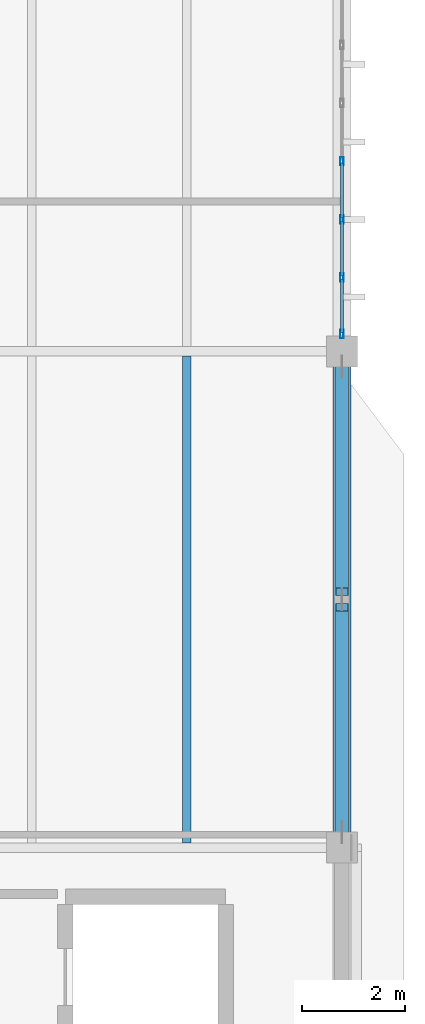
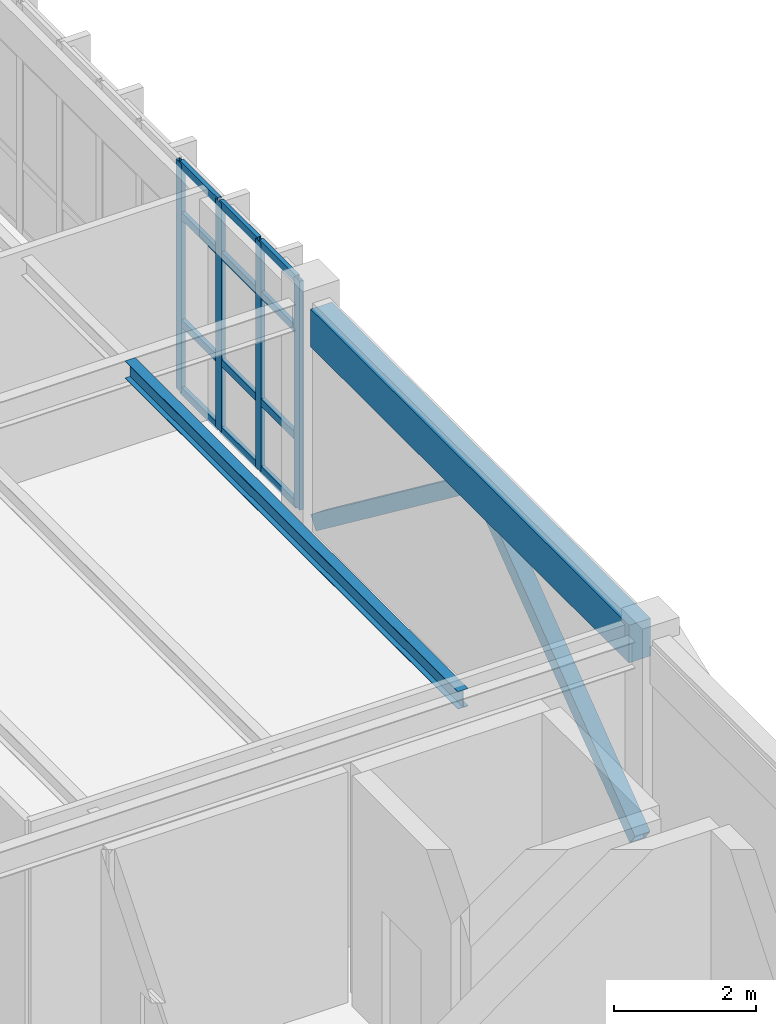
# One storey, part 11 of 28: 18 members, 2 beams, 1 element without a shape of its own.
"""IFC4 building model written with IfcOpenShell, lengths in metres."""

from ifc_helpers import new_model, si_unit, direction, frame, origin, origin_2d, place, context, subcontext, project, spatial, rectangle, hollow_rectangle, i_section, extrude, material, layer, layer_set, material_profile, profile_set, type_object, element, aggregate, save


model = new_model("IFC4")

# Units and contexts
model_context = context("Model", 3, precision=1e-05, world=origin(), true_north=direction((0.0, 1.0)))
body_context = subcontext(model_context, "Body", "Model", "MODEL_VIEW")
ifc_project = project(units=[si_unit("LENGTHUNIT", "METRE"), si_unit("AREAUNIT", "SQUARE_METRE"), si_unit("VOLUMEUNIT", "CUBIC_METRE"), si_unit("PLANEANGLEUNIT", "RADIAN"), si_unit("MASSUNIT", "GRAM", prefix="KILO")], contexts=[model_context])

# Site, building, storey
site_placement = place(None, origin())
site = spatial("IfcSite", under=ifc_project, at=site_placement, CompositionType="ELEMENT")
building_placement = place(site_placement, origin())
building = spatial("IfcBuilding", under=site, at=building_placement, Name="Pandanus Reach Market Hall", CompositionType="ELEMENT")
storey_placement = place(building_placement, frame((0.0, 0.0, 18.60009765625)))
storey = spatial("IfcBuildingStorey", under=building, at=storey_placement, Name="L04", CompositionType="ELEMENT", Elevation=18.60009765625)

# Beam
ifc_material_1 = material(Name="Concrete N40 (40 MPa)", Category="concrete")
ifc_material_profile_1 = material_profile(ifc_material_1, rectangle(XDim=0.35009765625, YDim=0.64990234375, at=origin_2d()), Name="RC350x650", Category="LoadBearing")
ifc_profile_set_1 = profile_set([ifc_material_profile_1], Name="Concrete N40 (40 MPa)")
beam_type_1 = type_object("IfcBeamType", Name="BM-RC350-E", PredefinedType="SPANDREL", material=ifc_profile_set_1)
beam_1_placement = place(storey_placement, frame((180.0, 38.697998046875, 3.534912109375), z_axis=(0.0, 1.0, 0.0), x_axis=(-1.0, 0.0, 0.0)))
element("IfcBeam", 1, at=beam_1_placement, inside=storey, type_object=beam_type_1, Name="Framing beam BM-RC350-E L04.633", PredefinedType="SPANDREL", context=body_context, shape_type="SweptSolid", body=[
    extrude(rectangle(XDim=0.35009765625, YDim=0.64990234375, at=origin_2d()), origin(), (0.0, 0.0, 1.0), 9.00390625),
])

# Members
ifc_material_2 = material(Name="Steel Grade 350 (350 MPa)", Category="steel")
ifc_material_profile_2 = material_profile(ifc_material_2, hollow_rectangle(XDim=0.25, YDim=0.25, WallThickness=0.010009765625, at=origin_2d()), Name="250x250x10.0SHS", Category="LoadBearing")
ifc_profile_set_2 = profile_set([ifc_material_profile_2], Name="Steel Grade 350 (350 MPa)")
member_type_1 = type_object("IfcMemberType", Name="BR-SHS250-E", PredefinedType="BRACE", material=ifc_profile_set_2)
member_1_placement = place(storey_placement, frame((180.0, 38.68994140625, 0.14990234375), z_axis=(0.0, 0.797361673591, 0.603501749366), x_axis=(-1.0, 0.0, 0.0)))
element("IfcMember", 2, at=member_1_placement, inside=storey, type_object=member_type_1, Name="Chevron brace BR-SHS250-E 16A", PredefinedType="BRACE", context=body_context, shape_type="SweptSolid", body=[
    extrude(hollow_rectangle(XDim=0.25, YDim=0.25, WallThickness=0.010009765625, at=origin_2d()), origin(), (0.0, 0.0, 1.0), 5.46826171875),
])
member_2_placement = place(storey_placement, frame((180.0, 47.7099609375, 0.14990234375), z_axis=(0.0, -0.797345411422, 0.603523234751), x_axis=(1.0, 0.0, 0.0)))
element("IfcMember", 3, at=member_2_placement, inside=storey, type_object=member_type_1, Name="Chevron brace BR-SHS250-E 16B", PredefinedType="BRACE", context=body_context, shape_type="SweptSolid", body=[
    extrude(hollow_rectangle(XDim=0.25, YDim=0.25, WallThickness=0.010009765625, at=origin_2d()), origin(), (0.0, 0.0, 1.0), 5.468017578125),
])

# Curtain wall, members
ifc_material_3 = material(Name="Bronze anodised aluminium and low-E glass", Category="aluminium")
ifc_layer = layer(ifc_material_3, 0.159912109375, Name="CW-36")
ifc_layer_set = layer_set([ifc_layer], Name="Bronze anodised aluminium and low-E glass")
curtain_wall_type = type_object("IfcCurtainWallType", Name="CW-36", PredefinedType="NOTDEFINED", material=ifc_layer_set)
curtain_wall_placement = place(storey_placement, origin())
curtain_wall = element("IfcCurtainWall", 4, at=curtain_wall_placement, inside=storey, type_object=curtain_wall_type, Name="Glazed curtain wall CW-36 CW-0131", PredefinedType="NOTDEFINED")
ifc_material_4 = material(Name="Bronze anodised aluminium", Category="aluminium")
ifc_material_profile_3 = material_profile(ifc_material_4, hollow_rectangle(XDim=0.06494140625, YDim=0.159912109375, WallThickness=0.00390625, at=origin_2d()), Name="ALU65x160", Category="LoadBearing")
ifc_profile_set_3 = profile_set([ifc_material_profile_3], Name="Bronze anodised aluminium")
member_type_2 = type_object("IfcMemberType", Name="CW-M1", PredefinedType="MULLION", material=ifc_profile_set_3)
member_3_placement = place(storey_placement, frame((180.0, 48.33251953125, 0.0), z_axis=(0.0, 0.0, 1.0), x_axis=(-1.0, 0.0, 0.0)))
member_3 = element("IfcMember", 5, at=member_3_placement, type_object=member_type_2, Name="CW-36 mullion 1", PredefinedType="MULLION", context=body_context, shape_type="SweptSolid", body=[
    extrude(hollow_rectangle(XDim=0.06494140625, YDim=0.159912109375, WallThickness=0.00390625, at=origin_2d()), origin(), (0.0, 0.0, 1.0), 3.949951171875),
])
member_4_placement = place(storey_placement, frame((180.0, 49.425048828125, 0.0), z_axis=(0.0, 0.0, 1.0), x_axis=(-1.0, 0.0, 0.0)))
member_4 = element("IfcMember", 6, at=member_4_placement, type_object=member_type_2, Name="CW-36 mullion 2", PredefinedType="MULLION", context=body_context, shape_type="SweptSolid", body=[
    extrude(hollow_rectangle(XDim=0.06494140625, YDim=0.159912109375, WallThickness=0.00390625, at=origin_2d()), origin(), (0.0, 0.0, 1.0), 3.949951171875),
])
member_5_placement = place(storey_placement, frame((180.0, 50.550048828125, 0.0), z_axis=(0.0, 0.0, 1.0), x_axis=(-1.0, 0.0, 0.0)))
member_5 = element("IfcMember", 7, at=member_5_placement, type_object=member_type_2, Name="CW-36 mullion 3", PredefinedType="MULLION", context=body_context, shape_type="SweptSolid", body=[
    extrude(hollow_rectangle(XDim=0.06494140625, YDim=0.159912109375, WallThickness=0.00390625, at=origin_2d()), origin(), (0.0, 0.0, 1.0), 3.949951171875),
])
member_6_placement = place(storey_placement, frame((180.0, 51.675048828125, 0.0), z_axis=(0.0, 0.0, 1.0), x_axis=(-1.0, 0.0, 0.0)))
member_6 = element("IfcMember", 8, at=member_6_placement, type_object=member_type_2, Name="CW-36 mullion 4", PredefinedType="MULLION", context=body_context, shape_type="SweptSolid", body=[
    extrude(hollow_rectangle(XDim=0.06494140625, YDim=0.159912109375, WallThickness=0.00390625, at=origin_2d()), origin(), (0.0, 0.0, 1.0), 3.949951171875),
])
ifc_material_profile_4 = material_profile(ifc_material_4, hollow_rectangle(XDim=0.06494140625, YDim=0.1298828125, WallThickness=0.00390625, at=origin_2d()), Name="ALU65x130", Category="LoadBearing")
ifc_profile_set_4 = profile_set([ifc_material_profile_4], Name="Bronze anodised aluminium")
member_type_3 = type_object("IfcMemberType", Name="CW-T1", PredefinedType="USERDEFINED", material=ifc_profile_set_4)
member_7_placement = place(storey_placement, frame((180.0, 48.364990234375, 0.032470703125), z_axis=(0.0, 1.0, 0.0), x_axis=(-1.0, 0.0, 0.0)))
member_7 = element("IfcMember", 9, at=member_7_placement, type_object=member_type_3, Name="CW-36 transom 1.1", ObjectType="TRANSOM", PredefinedType="USERDEFINED", context=body_context, shape_type="SweptSolid", body=[
    extrude(hollow_rectangle(XDim=0.06494140625, YDim=0.1298828125, WallThickness=0.00390625, at=origin_2d()), origin(), (0.0, 0.0, 1.0), 1.027587890625),
])
member_8_placement = place(storey_placement, frame((180.0, 48.364990234375, 1.199951171875), z_axis=(0.0, 1.0, 0.0), x_axis=(-1.0, 0.0, 0.0)))
member_8 = element("IfcMember", 10, at=member_8_placement, type_object=member_type_3, Name="CW-36 transom 1.2", ObjectType="TRANSOM", PredefinedType="USERDEFINED", context=body_context, shape_type="SweptSolid", body=[
    extrude(hollow_rectangle(XDim=0.06494140625, YDim=0.1298828125, WallThickness=0.00390625, at=origin_2d()), origin(), (0.0, 0.0, 1.0), 1.027587890625),
])
member_9_placement = place(storey_placement, frame((180.0, 48.364990234375, 3.0498046875), z_axis=(0.0, 1.0, 0.0), x_axis=(-1.0, 0.0, 0.0)))
member_9 = element("IfcMember", 11, at=member_9_placement, type_object=member_type_3, Name="CW-36 transom 1.3", ObjectType="TRANSOM", PredefinedType="USERDEFINED", context=body_context, shape_type="SweptSolid", body=[
    extrude(hollow_rectangle(XDim=0.06494140625, YDim=0.1298828125, WallThickness=0.00390625, at=origin_2d()), origin(), (0.0, 0.0, 1.0), 1.027587890625),
])
member_10_placement = place(storey_placement, frame((180.0, 48.364990234375, 3.91748046875), z_axis=(0.0, 1.0, 0.0), x_axis=(-1.0, 0.0, 0.0)))
member_10 = element("IfcMember", 12, at=member_10_placement, type_object=member_type_3, Name="CW-36 transom 1.4", ObjectType="TRANSOM", PredefinedType="USERDEFINED", context=body_context, shape_type="SweptSolid", body=[
    extrude(hollow_rectangle(XDim=0.06494140625, YDim=0.1298828125, WallThickness=0.00390625, at=origin_2d()), origin(), (0.0, 0.0, 1.0), 1.027587890625),
])
member_11_placement = place(storey_placement, frame((180.0, 49.45751953125, 0.032470703125), z_axis=(0.0, 1.0, 0.0), x_axis=(-1.0, 0.0, 0.0)))
member_11 = element("IfcMember", 13, at=member_11_placement, type_object=member_type_3, Name="CW-36 transom 2.1", ObjectType="TRANSOM", PredefinedType="USERDEFINED", context=body_context, shape_type="SweptSolid", body=[
    extrude(hollow_rectangle(XDim=0.06494140625, YDim=0.1298828125, WallThickness=0.00390625, at=origin_2d()), origin(), (0.0, 0.0, 1.0), 1.06005859375),
])
member_12_placement = place(storey_placement, frame((180.0, 49.45751953125, 1.199951171875), z_axis=(0.0, 1.0, 0.0), x_axis=(-1.0, 0.0, 0.0)))
member_12 = element("IfcMember", 14, at=member_12_placement, type_object=member_type_3, Name="CW-36 transom 2.2", ObjectType="TRANSOM", PredefinedType="USERDEFINED", context=body_context, shape_type="SweptSolid", body=[
    extrude(hollow_rectangle(XDim=0.06494140625, YDim=0.1298828125, WallThickness=0.00390625, at=origin_2d()), origin(), (0.0, 0.0, 1.0), 1.06005859375),
])
member_13_placement = place(storey_placement, frame((180.0, 49.45751953125, 3.0498046875), z_axis=(0.0, 1.0, 0.0), x_axis=(-1.0, 0.0, 0.0)))
member_13 = element("IfcMember", 15, at=member_13_placement, type_object=member_type_3, Name="CW-36 transom 2.3", ObjectType="TRANSOM", PredefinedType="USERDEFINED", context=body_context, shape_type="SweptSolid", body=[
    extrude(hollow_rectangle(XDim=0.06494140625, YDim=0.1298828125, WallThickness=0.00390625, at=origin_2d()), origin(), (0.0, 0.0, 1.0), 1.06005859375),
])
member_14_placement = place(storey_placement, frame((180.0, 49.45751953125, 3.91748046875), z_axis=(0.0, 1.0, 0.0), x_axis=(-1.0, 0.0, 0.0)))
member_14 = element("IfcMember", 16, at=member_14_placement, type_object=member_type_3, Name="CW-36 transom 2.4", ObjectType="TRANSOM", PredefinedType="USERDEFINED", context=body_context, shape_type="SweptSolid", body=[
    extrude(hollow_rectangle(XDim=0.06494140625, YDim=0.1298828125, WallThickness=0.00390625, at=origin_2d()), origin(), (0.0, 0.0, 1.0), 1.06005859375),
])
member_15_placement = place(storey_placement, frame((180.0, 50.58251953125, 0.032470703125), z_axis=(0.0, 1.0, 0.0), x_axis=(-1.0, 0.0, 0.0)))
member_15 = element("IfcMember", 17, at=member_15_placement, type_object=member_type_3, Name="CW-36 transom 3.1", ObjectType="TRANSOM", PredefinedType="USERDEFINED", context=body_context, shape_type="SweptSolid", body=[
    extrude(hollow_rectangle(XDim=0.06494140625, YDim=0.1298828125, WallThickness=0.00390625, at=origin_2d()), origin(), (0.0, 0.0, 1.0), 1.06005859375),
])
member_16_placement = place(storey_placement, frame((180.0, 50.58251953125, 1.199951171875), z_axis=(0.0, 1.0, 0.0), x_axis=(-1.0, 0.0, 0.0)))
member_16 = element("IfcMember", 18, at=member_16_placement, type_object=member_type_3, Name="CW-36 transom 3.2", ObjectType="TRANSOM", PredefinedType="USERDEFINED", context=body_context, shape_type="SweptSolid", body=[
    extrude(hollow_rectangle(XDim=0.06494140625, YDim=0.1298828125, WallThickness=0.00390625, at=origin_2d()), origin(), (0.0, 0.0, 1.0), 1.06005859375),
])
member_17_placement = place(storey_placement, frame((180.0, 50.58251953125, 3.0498046875), z_axis=(0.0, 1.0, 0.0), x_axis=(-1.0, 0.0, 0.0)))
member_17 = element("IfcMember", 19, at=member_17_placement, type_object=member_type_3, Name="CW-36 transom 3.3", ObjectType="TRANSOM", PredefinedType="USERDEFINED", context=body_context, shape_type="SweptSolid", body=[
    extrude(hollow_rectangle(XDim=0.06494140625, YDim=0.1298828125, WallThickness=0.00390625, at=origin_2d()), origin(), (0.0, 0.0, 1.0), 1.06005859375),
])
member_18_placement = place(storey_placement, frame((180.0, 50.58251953125, 3.91748046875), z_axis=(0.0, 1.0, 0.0), x_axis=(-1.0, 0.0, 0.0)))
member_18 = element("IfcMember", 20, at=member_18_placement, type_object=member_type_3, Name="CW-36 transom 3.4", ObjectType="TRANSOM", PredefinedType="USERDEFINED", context=body_context, shape_type="SweptSolid", body=[
    extrude(hollow_rectangle(XDim=0.06494140625, YDim=0.1298828125, WallThickness=0.00390625, at=origin_2d()), origin(), (0.0, 0.0, 1.0), 1.06005859375),
])
aggregate(curtain_wall, [member_3, member_4, member_5, member_6, member_7, member_8, member_9, member_10, member_11, member_12, member_13, member_14, member_15, member_16, member_17, member_18])

# Beam
ifc_material_profile_5 = material_profile(ifc_material_2, i_section(OverallWidth=0.1650390625, OverallDepth=0.303955078125, WebThickness=0.006103515625, FlangeThickness=0.01025390625, at=origin_2d()), Name="310UB40.4", Category="LoadBearing")
ifc_profile_set_5 = profile_set([ifc_material_profile_5], Name="Steel Grade 350 (350 MPa)")
beam_type_2 = type_object("IfcBeamType", Name="JS-UB310-I", PredefinedType="JOIST", material=ifc_profile_set_5)
beam_2_placement = place(storey_placement, frame((177.0, 38.492919921875, 3.70751953125), z_axis=(0.0, 1.0, 0.0), x_axis=(-1.0, 0.0, 0.0)))
element("IfcBeam", 21, at=beam_2_placement, inside=storey, type_object=beam_type_2, Name="Secondary joist JS-UB310-I L04.654", PredefinedType="JOIST", context=body_context, shape_type="SweptSolid", body=[
    extrude(i_section(OverallWidth=0.1650390625, OverallDepth=0.303955078125, WebThickness=0.006103515625, FlangeThickness=0.01025390625, at=origin_2d()), origin(), (0.0, 0.0, 1.0), 9.4140625),
])

save(model, "model.ifc")
